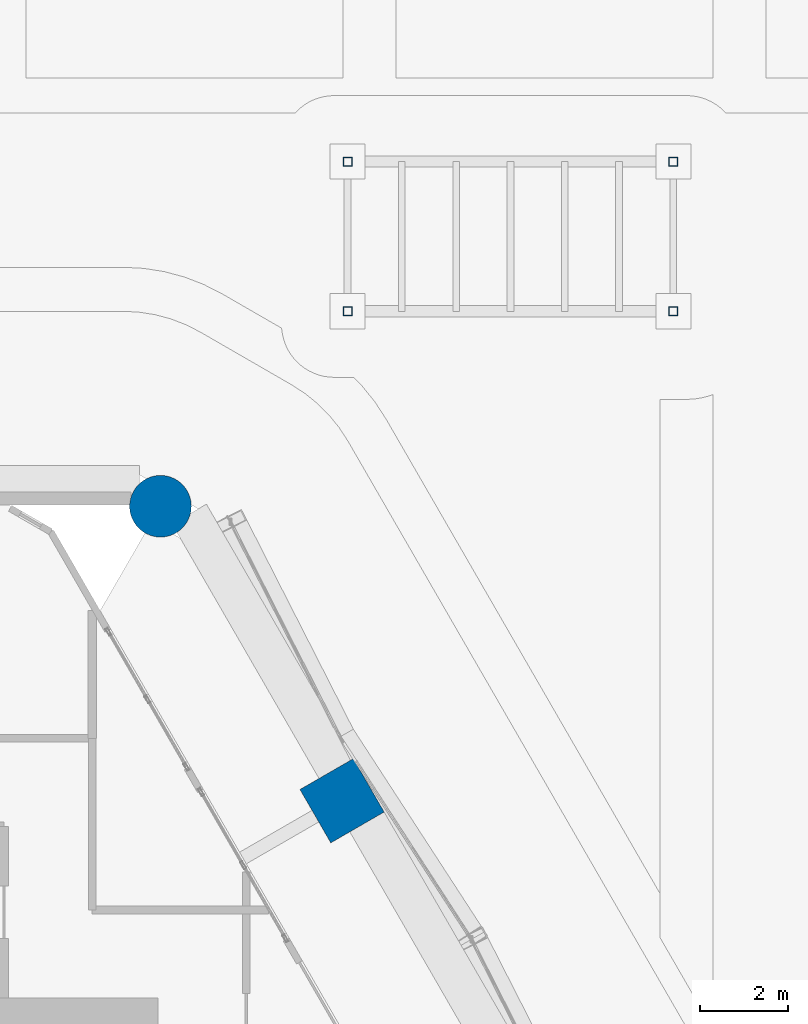
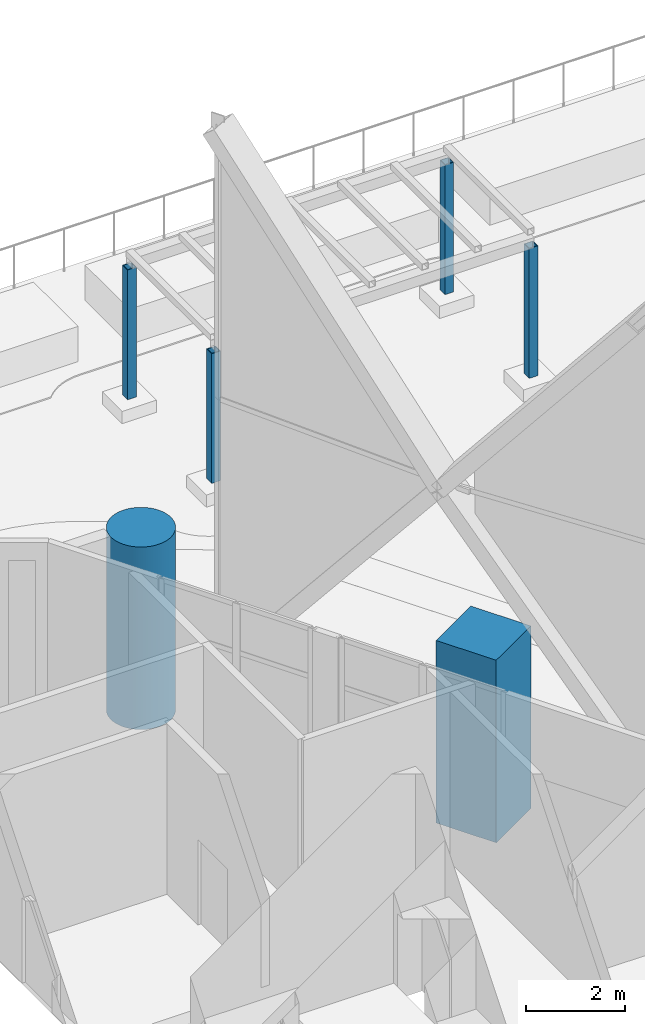
# One storey, part 6 of 71: 6 columns.
"""IFC4 building model written with IfcOpenShell, lengths in metres."""

from ifc_helpers import new_model, si_unit, direction, frame, origin, origin_2d, place, context, subcontext, project, spatial, rectangle, hollow_rectangle, circle, extrude, material, material_profile, profile_set, type_object, element, save


model = new_model("IFC4")

# Units and contexts
model_context = context("Model", 3, precision=1e-05, world=origin(), true_north=direction((0.0, 1.0)))
body_context = subcontext(model_context, "Body", "Model", "MODEL_VIEW")
ifc_project = project(units=[si_unit("LENGTHUNIT", "METRE"), si_unit("AREAUNIT", "SQUARE_METRE"), si_unit("VOLUMEUNIT", "CUBIC_METRE"), si_unit("PLANEANGLEUNIT", "RADIAN"), si_unit("MASSUNIT", "GRAM", prefix="KILO")], contexts=[model_context])

# Site, building, storey
site_placement = place(None, origin())
site = spatial("IfcSite", under=ifc_project, at=site_placement, CompositionType="ELEMENT")
building_placement = place(site_placement, origin())
building = spatial("IfcBuilding", under=site, at=building_placement, Name="Ostrander Bayou Hotel Tower", CompositionType="ELEMENT")
storey_placement = place(building_placement, frame((0.0, 0.0, 10.0)))
storey = spatial("IfcBuildingStorey", under=building, at=storey_placement, Name="L02", CompositionType="ELEMENT", Elevation=10.0)

# Columns
ifc_material_1 = material(Name="Concrete f'c 70 MPa", Category="concrete")
ifc_material_profile_1 = material_profile(ifc_material_1, circle(Radius=0.699951171875, at=origin_2d()))
ifc_profile_set_1 = profile_set([ifc_material_profile_1], Name="Concrete f'c 70 MPa")
column_type_1 = type_object("IfcColumnType", Name="C1 round column 1400 mm f'c 70 MPa", PredefinedType="COLUMN", material=ifc_profile_set_1)
column_1_placement = place(storey_placement, frame((12.050537109375, 20.872314453125, -1.199951171875), z_axis=(0.0, 0.0, 1.0), x_axis=(1.0, 0.0, 0.0)))
element("IfcColumn", 1, at=column_1_placement, inside=storey, type_object=column_type_1, Name="C1 L02 K5", PredefinedType="COLUMN", context=body_context, shape_type="SweptSolid", body=[
    extrude(circle(Radius=0.699951171875, at=origin_2d()), origin(), (0.0, 0.0, 1.0), 4.5),
])
ifc_material_2 = material(Name="Concrete f'c 70 MPa", Category="concrete")
ifc_material_profile_2 = material_profile(ifc_material_2, rectangle(XDim=1.39990234375, YDim=1.39990234375, at=origin_2d()))
ifc_profile_set_2 = profile_set([ifc_material_profile_2], Name="Concrete f'c 70 MPa")
column_type_2 = type_object("IfcColumnType", Name="C2 square column 1400 x 1400 mm f'c 70 MPa", PredefinedType="COLUMN", material=ifc_profile_set_2)
column_2_placement = place(storey_placement, frame((16.17529296875, 14.183349609375, -1.199951171875), z_axis=(0.0, 0.0, 1.0), x_axis=(0.5, -0.866025403784, 0.0)))
element("IfcColumn", 2, at=column_2_placement, inside=storey, type_object=column_type_2, Name="C2 L02 NE2", PredefinedType="COLUMN", context=body_context, shape_type="SweptSolid", body=[
    extrude(rectangle(XDim=1.39990234375, YDim=1.39990234375, at=origin_2d()), origin(), (0.0, 0.0, 1.0), 4.5),
])
ifc_material_3 = material(Name="Steel ASTM A500 Gr C", Category="steel")
ifc_material_profile_3 = material_profile(ifc_material_3, hollow_rectangle(XDim=0.203125, YDim=0.203125, WallThickness=0.01171875, at=origin_2d()))
ifc_profile_set_3 = profile_set([ifc_material_profile_3], Name="Steel ASTM A500 Gr C")
column_type_3 = type_object("IfcColumnType", Name="PG1 pergola post HSS8x8x1/2", PredefinedType="COLUMN", material=ifc_profile_set_3)
for number, where, z_axis, x_axis, name in (
    (3, (16.300048828125, 25.300048828125, 0.300048828125), (0.0, 0.0, 1.0), (1.0, 0.0, 0.0), "PG1 pergola 3 post 1"),
    (4, (23.699951171875, 25.300048828125, 0.300048828125), (0.0, 0.0, 1.0), (1.0, 0.0, 0.0), "PG1 pergola 3 post 2"),
    (5, (23.699951171875, 28.699951171875, 0.300048828125), (0.0, 0.0, 1.0), (1.0, 0.0, 0.0), "PG1 pergola 3 post 3"),
    (6, (16.300048828125, 28.699951171875, 0.300048828125), (0.0, 0.0, 1.0), (1.0, 0.0, 0.0), "PG1 pergola 3 post 4"),
):
    element("IfcColumn", number, at=place(storey_placement, frame(where, z_axis=z_axis, x_axis=x_axis)), inside=storey, type_object=column_type_3, Name=name, PredefinedType="COLUMN", context=body_context, shape_type="SweptSolid", body=[
        extrude(hollow_rectangle(XDim=0.203125, YDim=0.203125, WallThickness=0.01171875, at=origin_2d()), origin(), (0.0, 0.0, 1.0), 3.199951171875),
    ])

save(model, "model.ifc")
